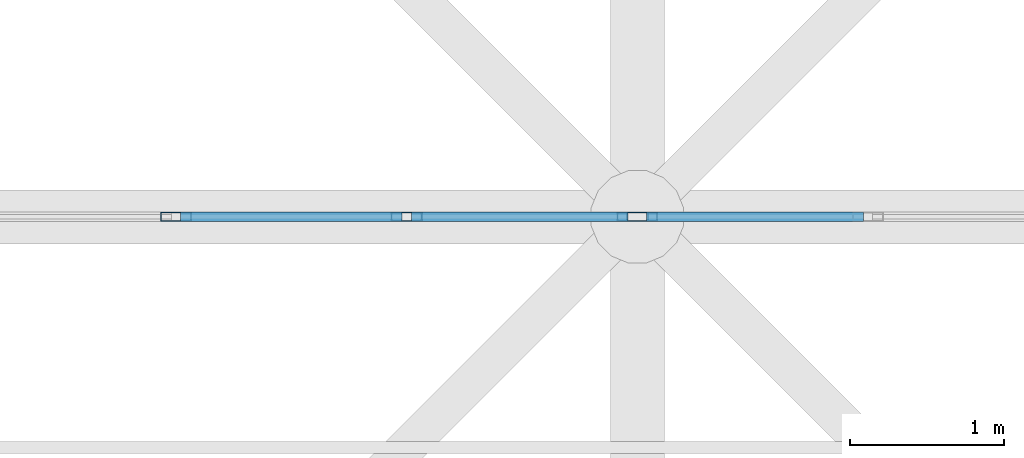
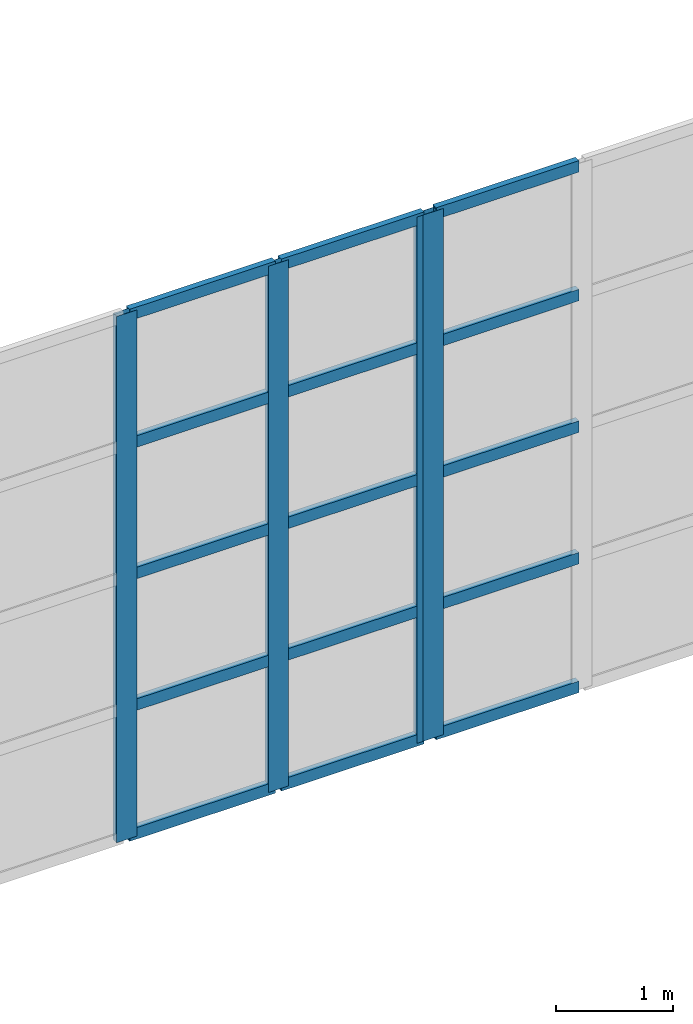
# One storey, part 178 of 437: 19 members, 2 elements without a shape of their own.
"""IFC4 building model written with IfcOpenShell, lengths in metres."""

from ifc_helpers import new_model, si_unit, direction, frame, origin, origin_2d, place, context, subcontext, project, spatial, hollow_rectangle, extrude, material, layer, layer_set, material_profile, profile_set, type_object, element, aggregate, save


model = new_model("IFC4")

# Units and contexts
model_context = context("Model", 3, precision=1e-05, world=origin(), true_north=direction((0.0, 1.0)))
body_context = subcontext(model_context, "Body", "Model", "MODEL_VIEW")
ifc_project = project(units=[si_unit("LENGTHUNIT", "METRE"), si_unit("AREAUNIT", "SQUARE_METRE"), si_unit("VOLUMEUNIT", "CUBIC_METRE"), si_unit("PLANEANGLEUNIT", "RADIAN"), si_unit("MASSUNIT", "GRAM", prefix="KILO")], contexts=[model_context])

# Site, building, storey
site_placement = place(None, origin())
site = spatial("IfcSite", under=ifc_project, at=site_placement, CompositionType="ELEMENT")
building_placement = place(site_placement, origin())
building = spatial("IfcBuilding", under=site, at=building_placement, Name="Opaline Strait Convention Centre", CompositionType="ELEMENT")
storey_placement = place(building_placement, frame((0.0, 0.0, 11.5)))
storey = spatial("IfcBuildingStorey", under=building, at=storey_placement, Name="L02", CompositionType="ELEMENT", Elevation=11.5)

# Curtain wall, members
ifc_material_1 = material(Name="Aluminium framed glazing", Category="aluminium")
ifc_layer = layer(ifc_material_1, 0.199951171875)
ifc_layer_set = layer_set([ifc_layer], Name="Aluminium framed glazing")
curtain_wall_type = type_object("IfcCurtainWallType", Name="Entrance curtain wall 1500", PredefinedType="NOTDEFINED", material=ifc_layer_set)
curtain_wall_1_placement = place(storey_placement, origin())
curtain_wall_1 = element("IfcCurtainWall", 1, at=curtain_wall_1_placement, inside=storey, type_object=curtain_wall_type, Name="Entrance curtain wall L02-R2", PredefinedType="NOTDEFINED")
ifc_material_2 = material(Name="Aluminium alloy 6063", Category="aluminium")
ifc_material_profile_1 = material_profile(ifc_material_2, hollow_rectangle(XDim=0.06005859375, YDim=0.199951171875, WallThickness=0.00390625, at=origin_2d()), Name="MULLION 60x200x4")
ifc_profile_set_1 = profile_set([ifc_material_profile_1], Name="Aluminium alloy 6063")
member_type_1 = type_object("IfcMemberType", Name="Curtain wall mullion 60 x 200", PredefinedType="MULLION", material=ifc_profile_set_1)
member_1_placement = place(storey_placement, frame((186.0, 144.0, 0.0), z_axis=(0.0, 0.0, 1.0), x_axis=(0.0, 1.0, 0.0)))
member_1 = element("IfcMember", 2, at=member_1_placement, type_object=member_type_1, Name="XCW mullion 11", PredefinedType="MULLION", context=body_context, shape_type="SweptSolid", body=[
    extrude(hollow_rectangle(XDim=0.06005859375, YDim=0.199951171875, WallThickness=0.00390625, at=origin_2d()), origin(), (0.0, 0.0, 1.0), 5.5),
])
member_2_placement = place(storey_placement, frame((187.5, 144.0, 0.0), z_axis=(0.0, 0.0, 1.0), x_axis=(0.0, 1.0, 0.0)))
member_2 = element("IfcMember", 3, at=member_2_placement, type_object=member_type_1, Name="XCW mullion 12", PredefinedType="MULLION", context=body_context, shape_type="SweptSolid", body=[
    extrude(hollow_rectangle(XDim=0.06005859375, YDim=0.199951171875, WallThickness=0.00390625, at=origin_2d()), origin(), (0.0, 0.0, 1.0), 5.5),
])
member_3_placement = place(storey_placement, frame((188.969970703125, 144.0, 0.0), z_axis=(0.0, 0.0, 1.0), x_axis=(0.0, 1.0, 0.0)))
member_3 = element("IfcMember", 4, at=member_3_placement, type_object=member_type_1, Name="XCW mullion 13", PredefinedType="MULLION", context=body_context, shape_type="SweptSolid", body=[
    extrude(hollow_rectangle(XDim=0.06005859375, YDim=0.199951171875, WallThickness=0.00390625, at=origin_2d()), origin(), (0.0, 0.0, 1.0), 5.5),
])

# Curtain wall, member
curtain_wall_2_placement = place(storey_placement, origin())
curtain_wall_2 = element("IfcCurtainWall", 5, at=curtain_wall_2_placement, inside=storey, type_object=curtain_wall_type, Name="Entrance curtain wall L02-R3", PredefinedType="NOTDEFINED")
member_4_placement = place(storey_placement, frame((189.030029296875, 144.0, 0.0), z_axis=(0.0, 0.0, 1.0), x_axis=(0.0, 1.0, 0.0)))
member_4 = element("IfcMember", 6, at=member_4_placement, type_object=member_type_1, Name="XCW mullion 1", PredefinedType="MULLION", context=body_context, shape_type="SweptSolid", body=[
    extrude(hollow_rectangle(XDim=0.06005859375, YDim=0.199951171875, WallThickness=0.00390625, at=origin_2d()), origin(), (0.0, 0.0, 1.0), 5.5),
])

# Member
ifc_material_profile_2 = material_profile(ifc_material_2, hollow_rectangle(XDim=0.06005859375, YDim=0.1201171875, WallThickness=0.0029296875, at=origin_2d()), Name="TRANSOM 60x120x3")
ifc_profile_set_2 = profile_set([ifc_material_profile_2], Name="Aluminium alloy 6063")
member_type_2 = type_object("IfcMemberType", Name="Curtain wall transom 60 x 120", PredefinedType="USERDEFINED", material=ifc_profile_set_2)
member_5_placement = place(storey_placement, frame((186.030029296875, 144.0, 0.030029296875), z_axis=(1.0, 0.0, 0.0), x_axis=(0.0, 1.0, 0.0)))
member_5 = element("IfcMember", 7, at=member_5_placement, type_object=member_type_2, Name="XCW transom 11.1", ObjectType="TRANSOM", PredefinedType="USERDEFINED", context=body_context, shape_type="SweptSolid", body=[
    extrude(hollow_rectangle(XDim=0.06005859375, YDim=0.1201171875, WallThickness=0.0029296875, at=origin_2d()), origin(), (0.0, 0.0, 1.0), 1.43994140625),
])

member_6_placement = place(storey_placement, frame((186.030029296875, 144.0, 1.375), z_axis=(1.0, 0.0, 0.0), x_axis=(0.0, 1.0, 0.0)))
member_6 = element("IfcMember", 8, at=member_6_placement, type_object=member_type_2, Name="XCW transom 11.2", ObjectType="TRANSOM", PredefinedType="USERDEFINED", context=body_context, shape_type="SweptSolid", body=[
    extrude(hollow_rectangle(XDim=0.06005859375, YDim=0.1201171875, WallThickness=0.0029296875, at=origin_2d()), origin(), (0.0, 0.0, 1.0), 1.43994140625),
])

member_7_placement = place(storey_placement, frame((186.030029296875, 144.0, 2.75), z_axis=(1.0, 0.0, 0.0), x_axis=(0.0, 1.0, 0.0)))
member_7 = element("IfcMember", 9, at=member_7_placement, type_object=member_type_2, Name="XCW transom 11.3", ObjectType="TRANSOM", PredefinedType="USERDEFINED", context=body_context, shape_type="SweptSolid", body=[
    extrude(hollow_rectangle(XDim=0.06005859375, YDim=0.1201171875, WallThickness=0.0029296875, at=origin_2d()), origin(), (0.0, 0.0, 1.0), 1.43994140625),
])

member_8_placement = place(storey_placement, frame((186.030029296875, 144.0, 4.125), z_axis=(1.0, 0.0, 0.0), x_axis=(0.0, 1.0, 0.0)))
member_8 = element("IfcMember", 10, at=member_8_placement, type_object=member_type_2, Name="XCW transom 11.4", ObjectType="TRANSOM", PredefinedType="USERDEFINED", context=body_context, shape_type="SweptSolid", body=[
    extrude(hollow_rectangle(XDim=0.06005859375, YDim=0.1201171875, WallThickness=0.0029296875, at=origin_2d()), origin(), (0.0, 0.0, 1.0), 1.43994140625),
])

member_9_placement = place(storey_placement, frame((186.030029296875, 144.0, 5.469970703125), z_axis=(1.0, 0.0, 0.0), x_axis=(0.0, 1.0, 0.0)))
member_9 = element("IfcMember", 11, at=member_9_placement, type_object=member_type_2, Name="XCW transom 11.5", ObjectType="TRANSOM", PredefinedType="USERDEFINED", context=body_context, shape_type="SweptSolid", body=[
    extrude(hollow_rectangle(XDim=0.06005859375, YDim=0.1201171875, WallThickness=0.0029296875, at=origin_2d()), origin(), (0.0, 0.0, 1.0), 1.43994140625),
])

member_10_placement = place(storey_placement, frame((187.530029296875, 144.0, 0.030029296875), z_axis=(1.0, 0.0, 0.0), x_axis=(0.0, 1.0, 0.0)))
member_10 = element("IfcMember", 12, at=member_10_placement, type_object=member_type_2, Name="XCW transom 12.1", ObjectType="TRANSOM", PredefinedType="USERDEFINED", context=body_context, shape_type="SweptSolid", body=[
    extrude(hollow_rectangle(XDim=0.06005859375, YDim=0.1201171875, WallThickness=0.0029296875, at=origin_2d()), origin(), (0.0, 0.0, 1.0), 1.409912109375),
])

member_11_placement = place(storey_placement, frame((187.530029296875, 144.0, 1.375), z_axis=(1.0, 0.0, 0.0), x_axis=(0.0, 1.0, 0.0)))
member_11 = element("IfcMember", 13, at=member_11_placement, type_object=member_type_2, Name="XCW transom 12.2", ObjectType="TRANSOM", PredefinedType="USERDEFINED", context=body_context, shape_type="SweptSolid", body=[
    extrude(hollow_rectangle(XDim=0.06005859375, YDim=0.1201171875, WallThickness=0.0029296875, at=origin_2d()), origin(), (0.0, 0.0, 1.0), 1.409912109375),
])

member_12_placement = place(storey_placement, frame((187.530029296875, 144.0, 2.75), z_axis=(1.0, 0.0, 0.0), x_axis=(0.0, 1.0, 0.0)))
member_12 = element("IfcMember", 14, at=member_12_placement, type_object=member_type_2, Name="XCW transom 12.3", ObjectType="TRANSOM", PredefinedType="USERDEFINED", context=body_context, shape_type="SweptSolid", body=[
    extrude(hollow_rectangle(XDim=0.06005859375, YDim=0.1201171875, WallThickness=0.0029296875, at=origin_2d()), origin(), (0.0, 0.0, 1.0), 1.409912109375),
])

member_13_placement = place(storey_placement, frame((187.530029296875, 144.0, 4.125), z_axis=(1.0, 0.0, 0.0), x_axis=(0.0, 1.0, 0.0)))
member_13 = element("IfcMember", 15, at=member_13_placement, type_object=member_type_2, Name="XCW transom 12.4", ObjectType="TRANSOM", PredefinedType="USERDEFINED", context=body_context, shape_type="SweptSolid", body=[
    extrude(hollow_rectangle(XDim=0.06005859375, YDim=0.1201171875, WallThickness=0.0029296875, at=origin_2d()), origin(), (0.0, 0.0, 1.0), 1.409912109375),
])

member_14_placement = place(storey_placement, frame((187.530029296875, 144.0, 5.469970703125), z_axis=(1.0, 0.0, 0.0), x_axis=(0.0, 1.0, 0.0)))
member_14 = element("IfcMember", 16, at=member_14_placement, type_object=member_type_2, Name="XCW transom 12.5", ObjectType="TRANSOM", PredefinedType="USERDEFINED", context=body_context, shape_type="SweptSolid", body=[
    extrude(hollow_rectangle(XDim=0.06005859375, YDim=0.1201171875, WallThickness=0.0029296875, at=origin_2d()), origin(), (0.0, 0.0, 1.0), 1.409912109375),
])

aggregate(curtain_wall_1, [member_1, member_2, member_3, member_5, member_6, member_7, member_8, member_9, member_10, member_11, member_12, member_13, member_14])

member_15_placement = place(storey_placement, frame((189.06005859375, 144.0, 0.030029296875), z_axis=(1.0, 0.0, 0.0), x_axis=(0.0, 1.0, 0.0)))
member_15 = element("IfcMember", 17, at=member_15_placement, type_object=member_type_2, Name="XCW transom 1.1", ObjectType="TRANSOM", PredefinedType="USERDEFINED", context=body_context, shape_type="SweptSolid", body=[
    extrude(hollow_rectangle(XDim=0.06005859375, YDim=0.1201171875, WallThickness=0.0029296875, at=origin_2d()), origin(), (0.0, 0.0, 1.0), 1.409912109375),
])

member_16_placement = place(storey_placement, frame((189.06005859375, 144.0, 1.375), z_axis=(1.0, 0.0, 0.0), x_axis=(0.0, 1.0, 0.0)))
member_16 = element("IfcMember", 18, at=member_16_placement, type_object=member_type_2, Name="XCW transom 1.2", ObjectType="TRANSOM", PredefinedType="USERDEFINED", context=body_context, shape_type="SweptSolid", body=[
    extrude(hollow_rectangle(XDim=0.06005859375, YDim=0.1201171875, WallThickness=0.0029296875, at=origin_2d()), origin(), (0.0, 0.0, 1.0), 1.409912109375),
])

member_17_placement = place(storey_placement, frame((189.06005859375, 144.0, 2.75), z_axis=(1.0, 0.0, 0.0), x_axis=(0.0, 1.0, 0.0)))
member_17 = element("IfcMember", 19, at=member_17_placement, type_object=member_type_2, Name="XCW transom 1.3", ObjectType="TRANSOM", PredefinedType="USERDEFINED", context=body_context, shape_type="SweptSolid", body=[
    extrude(hollow_rectangle(XDim=0.06005859375, YDim=0.1201171875, WallThickness=0.0029296875, at=origin_2d()), origin(), (0.0, 0.0, 1.0), 1.409912109375),
])

member_18_placement = place(storey_placement, frame((189.06005859375, 144.0, 4.125), z_axis=(1.0, 0.0, 0.0), x_axis=(0.0, 1.0, 0.0)))
member_18 = element("IfcMember", 20, at=member_18_placement, type_object=member_type_2, Name="XCW transom 1.4", ObjectType="TRANSOM", PredefinedType="USERDEFINED", context=body_context, shape_type="SweptSolid", body=[
    extrude(hollow_rectangle(XDim=0.06005859375, YDim=0.1201171875, WallThickness=0.0029296875, at=origin_2d()), origin(), (0.0, 0.0, 1.0), 1.409912109375),
])

member_19_placement = place(storey_placement, frame((189.06005859375, 144.0, 5.469970703125), z_axis=(1.0, 0.0, 0.0), x_axis=(0.0, 1.0, 0.0)))
member_19 = element("IfcMember", 21, at=member_19_placement, type_object=member_type_2, Name="XCW transom 1.5", ObjectType="TRANSOM", PredefinedType="USERDEFINED", context=body_context, shape_type="SweptSolid", body=[
    extrude(hollow_rectangle(XDim=0.06005859375, YDim=0.1201171875, WallThickness=0.0029296875, at=origin_2d()), origin(), (0.0, 0.0, 1.0), 1.409912109375),
])

aggregate(curtain_wall_2, [member_4, member_15, member_16, member_17, member_18, member_19])

save(model, "model.ifc")
